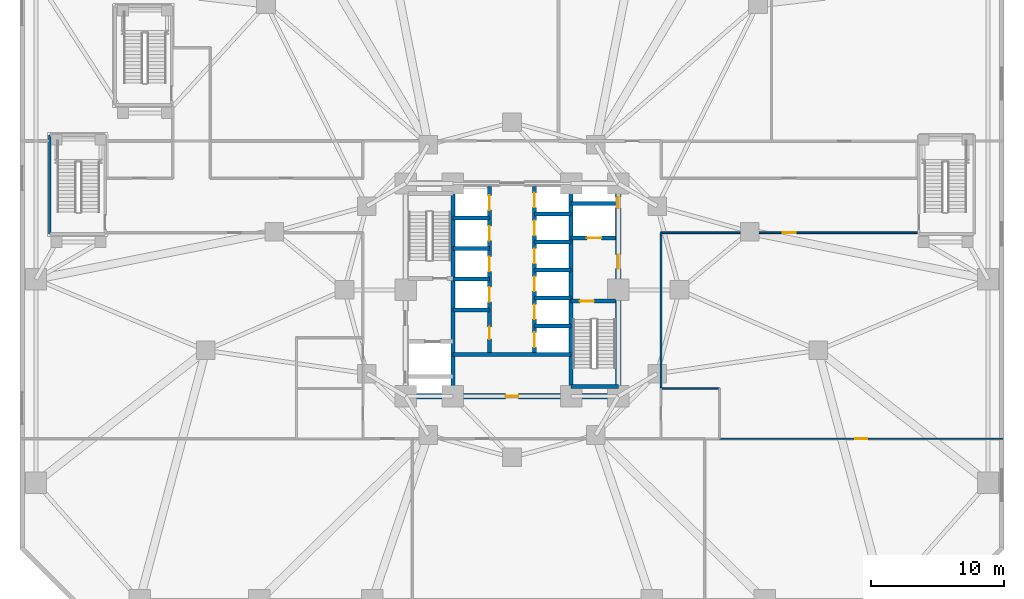
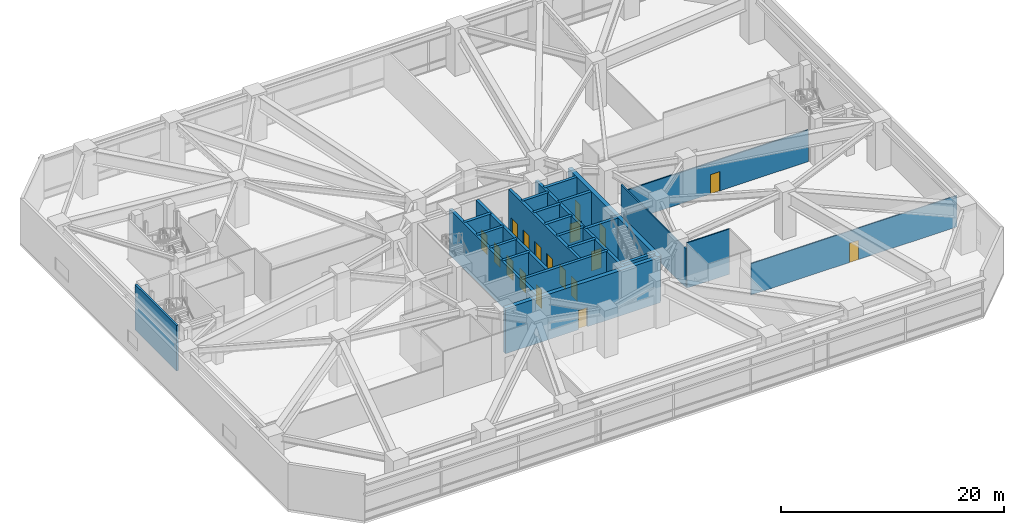
# One storey, part 16 of 27: 25 walls, 18 doors, 18 openings.
"""IFC4 building model written with IfcOpenShell, lengths in metres."""

from ifc_helpers import new_model, si_unit, direction, frame, frame_2d, origin, place, context, subcontext, project, spatial, rectangle, extrude, material, layer, layer_set, type_object, element, fill, save


model = new_model("IFC4")

# Units and contexts
model_context = context("Model", 3, precision=1e-05, world=origin(), true_north=direction((0.0, 1.0)))
body_context = subcontext(model_context, "Body", "Model", "MODEL_VIEW")
ifc_project = project(units=[si_unit("LENGTHUNIT", "METRE"), si_unit("AREAUNIT", "SQUARE_METRE"), si_unit("VOLUMEUNIT", "CUBIC_METRE"), si_unit("PLANEANGLEUNIT", "RADIAN"), si_unit("MASSUNIT", "GRAM", prefix="KILO")], contexts=[model_context])

# Site, building, storey
site_placement = place(None, origin())
site = spatial("IfcSite", under=ifc_project, at=site_placement, CompositionType="ELEMENT")
building_placement = place(site_placement, origin())
building = spatial("IfcBuilding", under=site, at=building_placement, Name="Terralouvre Media Tower", CompositionType="ELEMENT")
storey_placement = place(building_placement, frame((0.0, 0.0, 15.60009765625)))
storey = spatial("IfcBuildingStorey", under=building, at=storey_placement, Name="L03", CompositionType="ELEMENT", Elevation=15.60009765625)

# Walls
ifc_material_1 = material(Name="Concrete C50/60", Category="concrete")
ifc_layer_1 = layer(ifc_material_1, 0.300048828125, Name="Core Internal Shaft Wall CW-300")
ifc_layer_set_1 = layer_set([ifc_layer_1], Name="Concrete C50/60")
wall_type_1 = type_object("IfcWallType", Name="Core Internal Shaft Wall CW-300", PredefinedType="SHEAR", material=ifc_layer_set_1)
for number, where, z_axis, x_axis, name in (
    (1, (-4.449951171875, -7.7900390625, 0.0), (0.0, 0.0, 1.0), (0.0, 1.0, 0.0), "L03 Core Shaft Wall SPW"),
    (2, (4.449951171875, -7.7900390625, 0.0), (0.0, 0.0, 1.0), (0.0, 1.0, 0.0), "L03 Core Shaft Wall SPE"),
):
    element("IfcWall", number, at=place(storey_placement, frame(where, z_axis=z_axis, x_axis=x_axis)), inside=storey, type_object=wall_type_1, Name=name, PredefinedType="SHEAR", context=body_context, shape_type="SweptSolid", body=[
        extrude(rectangle(XDim=15.580078125, YDim=0.300048828125, at=frame_2d((7.7900390625, 0.0))), origin(), (0.0, 0.0, 1.0), 4.949951171875),
    ])

# Wall, opening, door
wall_1_placement = place(storey_placement, frame((4.449951171875, -0.85009765625, 0.0), z_axis=(0.0, 0.0, 1.0), x_axis=(1.0, 0.0, 0.0)))
wall_1 = element("IfcWall", 3, at=wall_1_placement, inside=storey, type_object=wall_type_1, Name="L03 Core Shaft Wall ST2D", PredefinedType="SHEAR", context=body_context, shape_type="SweptSolid", body=[
    extrude(rectangle(XDim=3.340087890625, YDim=0.300048828125, at=frame_2d((1.669921875, 0.0))), origin(), (0.0, 0.0, 1.0), 4.949951171875),
])
opening_1_placement = place(wall_1_placement, frame((0.64990234375, 0.0, 0.0)))
opening_1 = element("IfcOpeningElement", 4, at=opening_1_placement, cuts=wall_1, Name="Opening FD-01-105X215", PredefinedType="OPENING", context=body_context, shape_type="SweptSolid", body=[
    extrude(rectangle(XDim=1.050048828125, YDim=2.14990234375, at=frame_2d((0.52490234375, 1.074951171875))), frame((0.0, 0.159912109375, 0.0), z_axis=(0.0, -1.0, 0.0), x_axis=(1.0, 0.0, 0.0)), (0.0, 0.0, 1.0), 0.320068359375),
])
ifc_material_2 = material(Name="Galvanised steel fire-resisting leaf", Category="steel")
door_type_1 = type_object("IfcDoorType", Name="Stair and Firefighting Lobby Fire Door FD-01 (1050x2150)", OperationType="NOTDEFINED", PredefinedType="DOOR", material=ifc_material_2)
door_1_placement = place(opening_1_placement, origin())
door_1 = element("IfcDoor", 5, at=door_1_placement, inside=storey, type_object=door_type_1, Name="L03 ST-02 Exit Stair Door", OperationType="SINGLE_SWING_RIGHT", OverallHeight=2.14990234375, OverallWidth=1.050048828125, PredefinedType="DOOR", context=body_context, shape_type="SweptSolid", body=[
    extrude(rectangle(XDim=1.050048828125, YDim=2.14990234375, at=frame_2d((0.52490234375, 1.074951171875))), frame((0.0, 0.02490234375, 0.0), z_axis=(0.0, -1.0, 0.0), x_axis=(1.0, 0.0, 0.0)), (0.0, 0.0, 1.0), 0.050048828125),
])
fill(opening_1, door_1)

# Wall
wall_2_placement = place(storey_placement, frame((4.449951171875, -7.260009765625, 0.0), z_axis=(0.0, 0.0, 1.0), x_axis=(1.0, 0.0, 0.0)))
element("IfcWall", 6, at=wall_2_placement, inside=storey, type_object=wall_type_1, Name="L03 Core Shaft Wall ST2F", PredefinedType="SHEAR", context=body_context, shape_type="SweptSolid", body=[
    extrude(rectangle(XDim=3.550048828125, YDim=0.300048828125, at=frame_2d((1.77490234375, 0.0))), origin(), (0.0, 0.0, 1.0), 4.949951171875),
])

# Wall, opening, door
wall_3_placement = place(storey_placement, frame((4.449951171875, 3.89990234375, 0.0), z_axis=(0.0, 0.0, 1.0), x_axis=(1.0, 0.0, 0.0)))
wall_3 = element("IfcWall", 7, at=wall_3_placement, inside=storey, type_object=wall_type_1, Name="L03 Core Shaft Wall FF2S", PredefinedType="SHEAR", context=body_context, shape_type="SweptSolid", body=[
    extrude(rectangle(XDim=3.340087890625, YDim=0.300048828125, at=frame_2d((1.669921875, 0.0))), origin(), (0.0, 0.0, 1.0), 4.949951171875),
])
opening_2_placement = place(wall_3_placement, frame((1.179931640625, 0.0, 0.0)))
opening_2 = element("IfcOpeningElement", 8, at=opening_2_placement, cuts=wall_3, Name="Opening LD-FF", PredefinedType="OPENING", context=body_context, shape_type="SweptSolid", body=[
    extrude(rectangle(XDim=1.10009765625, YDim=2.10009765625, at=frame_2d((0.550048828125, 1.050048828125))), frame((0.0, 0.159912109375, 0.0), z_axis=(0.0, -1.0, 0.0), x_axis=(1.0, 0.0, 0.0)), (0.0, 0.0, 1.0), 0.320068359375),
])
ifc_material_3 = material(Name="Stainless steel 316 handrail and balustrade", Category="steel")
door_type_2 = type_object("IfcDoorType", Name="Firefighting Lift Sliding Landing Door LD-FF", OperationType="SLIDING_TO_LEFT", PredefinedType="DOOR", material=ifc_material_3)
door_2_placement = place(opening_2_placement, origin())
door_2 = element("IfcDoor", 9, at=door_2_placement, inside=storey, type_object=door_type_2, Name="L03 Firefighting Lift FFL-02 Landing Door", OperationType="SLIDING_TO_LEFT", OverallHeight=2.10009765625, OverallWidth=1.10009765625, PredefinedType="DOOR", context=body_context, shape_type="SweptSolid", body=[
    extrude(rectangle(XDim=1.10009765625, YDim=2.10009765625, at=frame_2d((0.550048828125, 1.050048828125))), frame((0.0, 0.02490234375, 0.0), z_axis=(0.0, -1.0, 0.0), x_axis=(1.0, 0.0, 0.0)), (0.0, 0.0, 1.0), 0.050048828125),
])
fill(opening_2, door_2)

# Walls
wall_4_placement = place(storey_placement, frame((4.449951171875, 6.5, 0.0), z_axis=(0.0, 0.0, 1.0), x_axis=(1.0, 0.0, 0.0)))
element("IfcWall", 10, at=wall_4_placement, inside=storey, type_object=wall_type_1, Name="L03 Core Shaft Wall FF2N", PredefinedType="SHEAR", context=body_context, shape_type="SweptSolid", body=[
    extrude(rectangle(XDim=3.340087890625, YDim=0.300048828125, at=frame_2d((1.669921875, 0.0))), origin(), (0.0, 0.0, 1.0), 4.949951171875),
])
wall_5_placement = place(storey_placement, frame((-4.449951171875, -4.85009765625, 0.0), z_axis=(0.0, 0.0, 1.0), x_axis=(1.0, 0.0, 0.0)))
element("IfcWall", 11, at=wall_5_placement, inside=storey, type_object=wall_type_1, Name="L03 Core Shaft Wall CSBN", PredefinedType="SHEAR", context=body_context, shape_type="SweptSolid", body=[
    extrude(rectangle(XDim=8.89990234375, YDim=0.300048828125, at=frame_2d((4.449951171875, 0.0))), origin(), (0.0, 0.0, 1.0), 4.949951171875),
])

# Wall, openings, doors
wall_6_placement = place(storey_placement, frame((-1.679931640625, -4.85009765625, 0.0), z_axis=(0.0, 0.0, 1.0), x_axis=(0.0, 1.0, 0.0)))
wall_6 = element("IfcWall", 12, at=wall_6_placement, inside=storey, type_object=wall_type_1, Name="L03 Core Shaft Wall LBW", PredefinedType="SHEAR", context=body_context, shape_type="SweptSolid", body=[
    extrude(rectangle(XDim=12.64013671875, YDim=0.300048828125, at=frame_2d((6.320068359375, 0.0))), origin(), (0.0, 0.0, 1.0), 4.949951171875),
])
opening_3_placement = place(wall_6_placement, frame((3.949951171875, 0.0, 0.0)))
opening_3 = element("IfcOpeningElement", 13, at=opening_3_placement, cuts=wall_6, Name="Opening LD-PL", PredefinedType="OPENING", context=body_context, shape_type="SweptSolid", body=[
    extrude(rectangle(XDim=1.10009765625, YDim=2.10009765625, at=frame_2d((0.550048828125, 1.050048828125))), frame((0.0, 0.159912109375, 0.0), z_axis=(0.0, -1.0, 0.0), x_axis=(1.0, 0.0, 0.0)), (0.0, 0.0, 1.0), 0.320068359375),
])
opening_4_placement = place(wall_6_placement, frame((6.25, 0.0, 0.0)))
opening_4 = element("IfcOpeningElement", 14, at=opening_4_placement, cuts=wall_6, Name="Opening LD-PL", PredefinedType="OPENING", context=body_context, shape_type="SweptSolid", body=[
    extrude(rectangle(XDim=1.10009765625, YDim=2.10009765625, at=frame_2d((0.550048828125, 1.050048828125))), frame((0.0, 0.159912109375, 0.0), z_axis=(0.0, -1.0, 0.0), x_axis=(1.0, 0.0, 0.0)), (0.0, 0.0, 1.0), 0.320068359375),
])
opening_5_placement = place(wall_6_placement, frame((8.550048828125, 0.0, 0.0)))
opening_5 = element("IfcOpeningElement", 15, at=opening_5_placement, cuts=wall_6, Name="Opening LD-PL", PredefinedType="OPENING", context=body_context, shape_type="SweptSolid", body=[
    extrude(rectangle(XDim=1.10009765625, YDim=2.10009765625, at=frame_2d((0.550048828125, 1.050048828125))), frame((0.0, 0.159912109375, 0.0), z_axis=(0.0, -1.0, 0.0), x_axis=(1.0, 0.0, 0.0)), (0.0, 0.0, 1.0), 0.320068359375),
])
opening_6_placement = place(wall_6_placement, frame((10.85009765625, 0.0, 0.0)))
opening_6 = element("IfcOpeningElement", 16, at=opening_6_placement, cuts=wall_6, Name="Opening LD-PL", PredefinedType="OPENING", context=body_context, shape_type="SweptSolid", body=[
    extrude(rectangle(XDim=1.10009765625, YDim=2.10009765625, at=frame_2d((0.550048828125, 1.050048828125))), frame((0.0, 0.159912109375, 0.0), z_axis=(0.0, -1.0, 0.0), x_axis=(1.0, 0.0, 0.0)), (0.0, 0.0, 1.0), 0.320068359375),
])
opening_7_placement = place(wall_6_placement, frame((1.14990234375, 0.0, 0.0)))
opening_7 = element("IfcOpeningElement", 17, at=opening_7_placement, cuts=wall_6, Name="Opening FD-05-92X210", PredefinedType="OPENING", context=body_context, shape_type="SweptSolid", body=[
    extrude(rectangle(XDim=0.919921875, YDim=2.10009765625, at=frame_2d((0.4599609375, 1.050048828125))), frame((0.0, 0.159912109375, 0.0), z_axis=(0.0, -1.0, 0.0), x_axis=(1.0, 0.0, 0.0)), (0.0, 0.0, 1.0), 0.320068359375),
])
ifc_material_4 = material(Name="Galvanised steel fire-resisting leaf", Category="steel")
door_type_3 = type_object("IfcDoorType", Name="Core Accessible Closet Fire Door FD-05 (920x2100)", OperationType="NOTDEFINED", PredefinedType="DOOR", material=ifc_material_4)
door_3_placement = place(opening_7_placement, origin())
door_3 = element("IfcDoor", 18, at=door_3_placement, inside=storey, type_object=door_type_3, Name="L03 Core Cleaners Closet Door", OperationType="SINGLE_SWING_LEFT", OverallHeight=2.10009765625, OverallWidth=0.919921875, PredefinedType="DOOR", context=body_context, shape_type="SweptSolid", body=[
    extrude(rectangle(XDim=0.919921875, YDim=2.10009765625, at=frame_2d((0.4599609375, 1.050048828125))), frame((0.0, 0.02490234375, 0.0), z_axis=(0.0, -1.0, 0.0), x_axis=(1.0, 0.0, 0.0)), (0.0, 0.0, 1.0), 0.050048828125),
])
fill(opening_7, door_3)
ifc_material_5 = material(Name="Stainless steel 316 handrail and balustrade", Category="steel")
door_type_4 = type_object("IfcDoorType", Name="Passenger Lift Sliding Landing Door LD-PL", OperationType="SLIDING_TO_LEFT", PredefinedType="DOOR", material=ifc_material_5)
door_4_placement = place(opening_3_placement, origin())
door_4 = element("IfcDoor", 19, at=door_4_placement, inside=storey, type_object=door_type_4, Name="L03 Low-Rise Lift PL-L1 Landing Door", OperationType="SLIDING_TO_LEFT", OverallHeight=2.10009765625, OverallWidth=1.10009765625, PredefinedType="DOOR", context=body_context, shape_type="SweptSolid", body=[
    extrude(rectangle(XDim=1.10009765625, YDim=2.10009765625, at=frame_2d((0.550048828125, 1.050048828125))), frame((0.0, 0.02490234375, 0.0), z_axis=(0.0, -1.0, 0.0), x_axis=(1.0, 0.0, 0.0)), (0.0, 0.0, 1.0), 0.050048828125),
])
fill(opening_3, door_4)
door_5_placement = place(opening_4_placement, origin())
door_5 = element("IfcDoor", 20, at=door_5_placement, inside=storey, type_object=door_type_4, Name="L03 Low-Rise Lift PL-L2 Landing Door", OperationType="SLIDING_TO_LEFT", OverallHeight=2.10009765625, OverallWidth=1.10009765625, PredefinedType="DOOR", context=body_context, shape_type="SweptSolid", body=[
    extrude(rectangle(XDim=1.10009765625, YDim=2.10009765625, at=frame_2d((0.550048828125, 1.050048828125))), frame((0.0, 0.02490234375, 0.0), z_axis=(0.0, -1.0, 0.0), x_axis=(1.0, 0.0, 0.0)), (0.0, 0.0, 1.0), 0.050048828125),
])
fill(opening_4, door_5)
door_6_placement = place(opening_5_placement, origin())
door_6 = element("IfcDoor", 21, at=door_6_placement, inside=storey, type_object=door_type_4, Name="L03 Low-Rise Lift PL-L3 Landing Door", OperationType="SLIDING_TO_LEFT", OverallHeight=2.10009765625, OverallWidth=1.10009765625, PredefinedType="DOOR", context=body_context, shape_type="SweptSolid", body=[
    extrude(rectangle(XDim=1.10009765625, YDim=2.10009765625, at=frame_2d((0.550048828125, 1.050048828125))), frame((0.0, 0.02490234375, 0.0), z_axis=(0.0, -1.0, 0.0), x_axis=(1.0, 0.0, 0.0)), (0.0, 0.0, 1.0), 0.050048828125),
])
fill(opening_5, door_6)
door_7_placement = place(opening_6_placement, origin())
door_7 = element("IfcDoor", 22, at=door_7_placement, inside=storey, type_object=door_type_4, Name="L03 Low-Rise Lift PL-L4 Landing Door", OperationType="SLIDING_TO_LEFT", OverallHeight=2.10009765625, OverallWidth=1.10009765625, PredefinedType="DOOR", context=body_context, shape_type="SweptSolid", body=[
    extrude(rectangle(XDim=1.10009765625, YDim=2.10009765625, at=frame_2d((0.550048828125, 1.050048828125))), frame((0.0, 0.02490234375, 0.0), z_axis=(0.0, -1.0, 0.0), x_axis=(1.0, 0.0, 0.0)), (0.0, 0.0, 1.0), 0.050048828125),
])
fill(opening_6, door_7)

wall_7_placement = place(storey_placement, frame((1.679931640625, -4.85009765625, 0.0), z_axis=(0.0, 0.0, 1.0), x_axis=(0.0, 1.0, 0.0)))
wall_7 = element("IfcWall", 23, at=wall_7_placement, inside=storey, type_object=wall_type_1, Name="L03 Core Shaft Wall LBE", PredefinedType="SHEAR", context=body_context, shape_type="SweptSolid", body=[
    extrude(rectangle(XDim=12.64013671875, YDim=0.300048828125, at=frame_2d((6.320068359375, 0.0))), origin(), (0.0, 0.0, 1.0), 4.949951171875),
])
opening_8_placement = place(wall_7_placement, frame((0.550048828125, 0.0, 0.0)))
opening_8 = element("IfcOpeningElement", 24, at=opening_8_placement, cuts=wall_7, Name="Opening LD-PL", PredefinedType="OPENING", context=body_context, shape_type="SweptSolid", body=[
    extrude(rectangle(XDim=1.10009765625, YDim=2.10009765625, at=frame_2d((0.550048828125, 1.050048828125))), frame((0.0, 0.159912109375, 0.0), z_axis=(0.0, -1.0, 0.0), x_axis=(1.0, 0.0, 0.0)), (0.0, 0.0, 1.0), 0.320068359375),
])
opening_9_placement = place(wall_7_placement, frame((2.64990234375, 0.0, 0.0)))
opening_9 = element("IfcOpeningElement", 25, at=opening_9_placement, cuts=wall_7, Name="Opening LD-PL", PredefinedType="OPENING", context=body_context, shape_type="SweptSolid", body=[
    extrude(rectangle(XDim=1.10009765625, YDim=2.10009765625, at=frame_2d((0.550048828125, 1.050048828125))), frame((0.0, 0.159912109375, 0.0), z_axis=(0.0, -1.0, 0.0), x_axis=(1.0, 0.0, 0.0)), (0.0, 0.0, 1.0), 0.320068359375),
])
opening_10_placement = place(wall_7_placement, frame((4.75, 0.0, 0.0)))
opening_10 = element("IfcOpeningElement", 26, at=opening_10_placement, cuts=wall_7, Name="Opening LD-PL", PredefinedType="OPENING", context=body_context, shape_type="SweptSolid", body=[
    extrude(rectangle(XDim=1.10009765625, YDim=2.10009765625, at=frame_2d((0.550048828125, 1.050048828125))), frame((0.0, 0.159912109375, 0.0), z_axis=(0.0, -1.0, 0.0), x_axis=(1.0, 0.0, 0.0)), (0.0, 0.0, 1.0), 0.320068359375),
])
opening_11_placement = place(wall_7_placement, frame((6.85009765625, 0.0, 0.0)))
opening_11 = element("IfcOpeningElement", 27, at=opening_11_placement, cuts=wall_7, Name="Opening LD-PL", PredefinedType="OPENING", context=body_context, shape_type="SweptSolid", body=[
    extrude(rectangle(XDim=1.10009765625, YDim=2.10009765625, at=frame_2d((0.550048828125, 1.050048828125))), frame((0.0, 0.159912109375, 0.0), z_axis=(0.0, -1.0, 0.0), x_axis=(1.0, 0.0, 0.0)), (0.0, 0.0, 1.0), 0.320068359375),
])
opening_12_placement = place(wall_7_placement, frame((8.949951171875, 0.0, 0.0)))
opening_12 = element("IfcOpeningElement", 28, at=opening_12_placement, cuts=wall_7, Name="Opening LD-PL", PredefinedType="OPENING", context=body_context, shape_type="SweptSolid", body=[
    extrude(rectangle(XDim=1.10009765625, YDim=2.10009765625, at=frame_2d((0.550048828125, 1.050048828125))), frame((0.0, 0.159912109375, 0.0), z_axis=(0.0, -1.0, 0.0), x_axis=(1.0, 0.0, 0.0)), (0.0, 0.0, 1.0), 0.320068359375),
])
opening_13_placement = place(wall_7_placement, frame((11.050048828125, 0.0, 0.0)))
opening_13 = element("IfcOpeningElement", 29, at=opening_13_placement, cuts=wall_7, Name="Opening LD-PL", PredefinedType="OPENING", context=body_context, shape_type="SweptSolid", body=[
    extrude(rectangle(XDim=1.10009765625, YDim=2.10009765625, at=frame_2d((0.550048828125, 1.050048828125))), frame((0.0, 0.159912109375, 0.0), z_axis=(0.0, -1.0, 0.0), x_axis=(1.0, 0.0, 0.0)), (0.0, 0.0, 1.0), 0.320068359375),
])
door_8_placement = place(opening_8_placement, origin())
door_8 = element("IfcDoor", 30, at=door_8_placement, inside=storey, type_object=door_type_4, Name="L03 High-Rise Lift PL-H1 Landing Door", OperationType="SLIDING_TO_LEFT", OverallHeight=2.10009765625, OverallWidth=1.10009765625, PredefinedType="DOOR", context=body_context, shape_type="SweptSolid", body=[
    extrude(rectangle(XDim=1.10009765625, YDim=2.10009765625, at=frame_2d((0.550048828125, 1.050048828125))), frame((0.0, 0.02490234375, 0.0), z_axis=(0.0, -1.0, 0.0), x_axis=(1.0, 0.0, 0.0)), (0.0, 0.0, 1.0), 0.050048828125),
])
fill(opening_8, door_8)
door_9_placement = place(opening_9_placement, origin())
door_9 = element("IfcDoor", 31, at=door_9_placement, inside=storey, type_object=door_type_4, Name="L03 High-Rise Lift PL-H2 Landing Door", OperationType="SLIDING_TO_LEFT", OverallHeight=2.10009765625, OverallWidth=1.10009765625, PredefinedType="DOOR", context=body_context, shape_type="SweptSolid", body=[
    extrude(rectangle(XDim=1.10009765625, YDim=2.10009765625, at=frame_2d((0.550048828125, 1.050048828125))), frame((0.0, 0.02490234375, 0.0), z_axis=(0.0, -1.0, 0.0), x_axis=(1.0, 0.0, 0.0)), (0.0, 0.0, 1.0), 0.050048828125),
])
fill(opening_9, door_9)
door_10_placement = place(opening_10_placement, origin())
door_10 = element("IfcDoor", 32, at=door_10_placement, inside=storey, type_object=door_type_4, Name="L03 High-Rise Lift PL-H3 Landing Door", OperationType="SLIDING_TO_LEFT", OverallHeight=2.10009765625, OverallWidth=1.10009765625, PredefinedType="DOOR", context=body_context, shape_type="SweptSolid", body=[
    extrude(rectangle(XDim=1.10009765625, YDim=2.10009765625, at=frame_2d((0.550048828125, 1.050048828125))), frame((0.0, 0.02490234375, 0.0), z_axis=(0.0, -1.0, 0.0), x_axis=(1.0, 0.0, 0.0)), (0.0, 0.0, 1.0), 0.050048828125),
])
fill(opening_10, door_10)
door_11_placement = place(opening_11_placement, origin())
door_11 = element("IfcDoor", 33, at=door_11_placement, inside=storey, type_object=door_type_4, Name="L03 Mid-Rise Lift PL-M1 Landing Door", OperationType="SLIDING_TO_LEFT", OverallHeight=2.10009765625, OverallWidth=1.10009765625, PredefinedType="DOOR", context=body_context, shape_type="SweptSolid", body=[
    extrude(rectangle(XDim=1.10009765625, YDim=2.10009765625, at=frame_2d((0.550048828125, 1.050048828125))), frame((0.0, 0.02490234375, 0.0), z_axis=(0.0, -1.0, 0.0), x_axis=(1.0, 0.0, 0.0)), (0.0, 0.0, 1.0), 0.050048828125),
])
fill(opening_11, door_11)
door_12_placement = place(opening_12_placement, origin())
door_12 = element("IfcDoor", 34, at=door_12_placement, inside=storey, type_object=door_type_4, Name="L03 Mid-Rise Lift PL-M2 Landing Door", OperationType="SLIDING_TO_LEFT", OverallHeight=2.10009765625, OverallWidth=1.10009765625, PredefinedType="DOOR", context=body_context, shape_type="SweptSolid", body=[
    extrude(rectangle(XDim=1.10009765625, YDim=2.10009765625, at=frame_2d((0.550048828125, 1.050048828125))), frame((0.0, 0.02490234375, 0.0), z_axis=(0.0, -1.0, 0.0), x_axis=(1.0, 0.0, 0.0)), (0.0, 0.0, 1.0), 0.050048828125),
])
fill(opening_12, door_12)
door_13_placement = place(opening_13_placement, origin())
door_13 = element("IfcDoor", 35, at=door_13_placement, inside=storey, type_object=door_type_4, Name="L03 Mid-Rise Lift PL-M3 Landing Door", OperationType="SLIDING_TO_LEFT", OverallHeight=2.10009765625, OverallWidth=1.10009765625, PredefinedType="DOOR", context=body_context, shape_type="SweptSolid", body=[
    extrude(rectangle(XDim=1.10009765625, YDim=2.10009765625, at=frame_2d((0.550048828125, 1.050048828125))), frame((0.0, 0.02490234375, 0.0), z_axis=(0.0, -1.0, 0.0), x_axis=(1.0, 0.0, 0.0)), (0.0, 0.0, 1.0), 0.050048828125),
])
fill(opening_13, door_13)

# Walls
for number, where, z_axis, x_axis, name in (
    (36, (-4.449951171875, -1.5, 0.0), (0.0, 0.0, 1.0), (1.0, 0.0, 0.0), "L03 Core Shaft Wall PLLD0"),
    (37, (-4.449951171875, 0.800048828125, 0.0), (0.0, 0.0, 1.0), (1.0, 0.0, 0.0), "L03 Core Shaft Wall PLLD1"),
    (38, (-4.449951171875, 3.10009765625, 0.0), (0.0, 0.0, 1.0), (1.0, 0.0, 0.0), "L03 Core Shaft Wall PLLD2"),
    (39, (-4.449951171875, 5.39990234375, 0.0), (0.0, 0.0, 1.0), (1.0, 0.0, 0.0), "L03 Core Shaft Wall PLLD3"),
    (40, (1.679931640625, 1.5, 0.0), (0.0, 0.0, 1.0), (1.0, 0.0, 0.0), "L03 Core Shaft Wall PLMD0"),
    (41, (1.679931640625, 3.60009765625, 0.0), (0.0, 0.0, 1.0), (1.0, 0.0, 0.0), "L03 Core Shaft Wall PLMD1"),
    (42, (1.679931640625, 5.699951171875, 0.0), (0.0, 0.0, 1.0), (1.0, 0.0, 0.0), "L03 Core Shaft Wall PLMD2"),
    (43, (1.679931640625, -2.699951171875, 0.0), (0.0, 0.0, 1.0), (1.0, 0.0, 0.0), "L03 Core Shaft Wall PLHD1"),
    (44, (1.679931640625, -0.60009765625, 0.0), (0.0, 0.0, 1.0), (1.0, 0.0, 0.0), "L03 Core Shaft Wall PLHD2"),
):
    element("IfcWall", number, at=place(storey_placement, frame(where, z_axis=z_axis, x_axis=x_axis)), inside=storey, type_object=wall_type_1, Name=name, PredefinedType="SHEAR", context=body_context, shape_type="SweptSolid", body=[
        extrude(rectangle(XDim=2.77001953125, YDim=0.300048828125, at=frame_2d((1.385009765625, 0.0))), origin(), (0.0, 0.0, 1.0), 4.949951171875),
    ])

# Wall, openings, doors
ifc_material_6 = material(Name="Concrete C60/75", Category="concrete")
ifc_layer_2 = layer(ifc_material_6, 0.419921875, Name="Core Reinforced Concrete Shear Wall CW-420")
ifc_layer_set_2 = layer_set([ifc_layer_2], Name="Concrete C60/75")
wall_type_2 = type_object("IfcWallType", Name="Core Reinforced Concrete Shear Wall CW-420", PredefinedType="SHEAR", material=ifc_layer_set_2)
wall_8_placement = place(storey_placement, frame((8.0, -8.0, 0.0), z_axis=(0.0, 0.0, 1.0), x_axis=(0.0, 1.0, 0.0)))
wall_8 = element("IfcWall", 45, at=wall_8_placement, inside=storey, type_object=wall_type_2, Name="L03 E Core Shear Wall", PredefinedType="SHEAR", context=body_context, shape_type="SweptSolid", body=[
    extrude(rectangle(XDim=16.0, YDim=0.419921875, at=frame_2d((8.0, 0.0))), origin(), (0.0, 0.0, 1.0), 4.949951171875),
])
opening_14_placement = place(wall_8_placement, frame((9.60009765625, 0.0, 0.0)))
opening_14 = element("IfcOpeningElement", 46, at=opening_14_placement, cuts=wall_8, Name="Opening FD-01-105X215", PredefinedType="OPENING", context=body_context, shape_type="SweptSolid", body=[
    extrude(rectangle(XDim=1.050048828125, YDim=2.14990234375, at=frame_2d((0.52490234375, 1.074951171875))), frame((0.0, 0.219970703125, 0.0), z_axis=(0.0, -1.0, 0.0), x_axis=(1.0, 0.0, 0.0)), (0.0, 0.0, 1.0), 0.43994140625),
])
opening_15_placement = place(wall_8_placement, frame((14.148193359375, 0.0, 0.0)))
opening_15 = element("IfcOpeningElement", 47, at=opening_15_placement, cuts=wall_8, Name="Opening TD-R1", PredefinedType="OPENING", context=body_context, shape_type="SweptSolid", body=[
    extrude(rectangle(XDim=0.85009765625, YDim=2.02001953125, at=frame_2d((0.425048828125, 1.010009765625))), frame((0.0, 0.219970703125, 0.0), z_axis=(0.0, -1.0, 0.0), x_axis=(1.0, 0.0, 0.0)), (0.0, 0.0, 1.0), 0.43994140625),
])
ifc_material_7 = material(Name="Galvanised steel fire-resisting leaf", Category="steel")
door_type_5 = type_object("IfcDoorType", Name="Riser Inspection Access Trapdoor TD-R1", OperationType="NOTDEFINED", PredefinedType="TRAPDOOR", material=ifc_material_7)
door_14_placement = place(opening_15_placement, origin())
door_14 = element("IfcDoor", 48, at=door_14_placement, inside=storey, type_object=door_type_5, Name="L03 East Comms Riser Access Trapdoor", OperationType="SINGLE_SWING_RIGHT", OverallHeight=2.02001953125, OverallWidth=0.85009765625, PredefinedType="TRAPDOOR", context=body_context, shape_type="SweptSolid", body=[
    extrude(rectangle(XDim=0.85009765625, YDim=2.02001953125, at=frame_2d((0.425048828125, 1.010009765625))), frame((0.0, 0.02490234375, 0.0), z_axis=(0.0, -1.0, 0.0), x_axis=(1.0, 0.0, 0.0)), (0.0, 0.0, 1.0), 0.050048828125),
])
fill(opening_15, door_14)
door_15_placement = place(opening_14_placement, origin())
door_15 = element("IfcDoor", 49, at=door_15_placement, inside=storey, type_object=door_type_1, Name="L03 East Firefighting Lobby Entry Door", OperationType="SINGLE_SWING_LEFT", OverallHeight=2.14990234375, OverallWidth=1.050048828125, PredefinedType="DOOR", context=body_context, shape_type="SweptSolid", body=[
    extrude(rectangle(XDim=1.050048828125, YDim=2.14990234375, at=frame_2d((0.52490234375, 1.074951171875))), frame((0.0, 0.02490234375, 0.0), z_axis=(0.0, -1.0, 0.0), x_axis=(1.0, 0.0, 0.0)), (0.0, 0.0, 1.0), 0.050048828125),
])
fill(opening_14, door_15)

# Wall, opening, door
wall_9_placement = place(storey_placement, frame((-8.0, -8.0, 0.0), z_axis=(0.0, 0.0, 1.0), x_axis=(1.0, 0.0, 0.0)))
wall_9 = element("IfcWall", 50, at=wall_9_placement, inside=storey, type_object=wall_type_2, Name="L03 S Core Shear Wall", PredefinedType="SHEAR", context=body_context, shape_type="SweptSolid", body=[
    extrude(rectangle(XDim=16.0, YDim=0.419921875, at=frame_2d((8.0, 0.0))), origin(), (0.0, 0.0, 1.0), 4.949951171875),
])
opening_16_placement = place(wall_9_placement, frame((7.52001953125, 0.0, 0.0)))
opening_16 = element("IfcOpeningElement", 51, at=opening_16_placement, cuts=wall_9, Name="Opening FD-02-95X210", PredefinedType="OPENING", context=body_context, shape_type="SweptSolid", body=[
    extrude(rectangle(XDim=0.949951171875, YDim=2.10009765625, at=frame_2d((0.47509765625, 1.050048828125))), frame((0.0, 0.219970703125, 0.0), z_axis=(0.0, -1.0, 0.0), x_axis=(1.0, 0.0, 0.0)), (0.0, 0.0, 1.0), 0.43994140625),
])
ifc_material_8 = material(Name="Galvanised steel fire-resisting leaf", Category="steel")
door_type_6 = type_object("IfcDoorType", Name="Plant and Riser Fire Door FD-02 (950x2100)", OperationType="NOTDEFINED", PredefinedType="DOOR", material=ifc_material_8)
door_16_placement = place(opening_16_placement, origin())
door_16 = element("IfcDoor", 52, at=door_16_placement, inside=storey, type_object=door_type_6, Name="L03 Core Switchgear Plant Door", OperationType="SINGLE_SWING_LEFT", OverallHeight=2.10009765625, OverallWidth=0.949951171875, PredefinedType="DOOR", context=body_context, shape_type="SweptSolid", body=[
    extrude(rectangle(XDim=0.949951171875, YDim=2.10009765625, at=frame_2d((0.47509765625, 1.050048828125))), frame((0.0, 0.02490234375, 0.0), z_axis=(0.0, -1.0, 0.0), x_axis=(1.0, 0.0, 0.0)), (0.0, 0.0, 1.0), 0.050048828125),
])
fill(opening_16, door_16)

ifc_material_9 = material(Name="Low-iron laminated double glazing with solar-control coating", Category="glass")
ifc_layer_3 = layer(ifc_material_9, 0.10009765625, Name="Demountable Glazed Office Partition PT-GL100")
ifc_layer_set_3 = layer_set([ifc_layer_3], Name="Low-iron laminated double glazing with solar-control coating")
wall_type_3 = type_object("IfcWallType", Name="Demountable Glazed Office Partition PT-GL100", PredefinedType="MOVABLE", material=ifc_layer_set_3)
wall_10_placement = place(storey_placement, frame((36.919921875, -11.199951171875, 0.0), z_axis=(0.0, 0.0, 1.0), x_axis=(-1.0, 0.0, 0.0)))
wall_10 = element("IfcWall", 53, at=wall_10_placement, inside=storey, type_object=wall_type_3, Name="L03 Interior Partition 034", PredefinedType="MOVABLE", context=body_context, shape_type="SweptSolid", body=[
    extrude(rectangle(XDim=21.31982421875, YDim=0.10009765625, at=frame_2d((10.659912109375, 0.0))), origin(), (0.0, 0.0, 1.0), 3.434814453125),
])
opening_17_placement = place(wall_10_placement, frame((10.199951171875, 0.0, 0.0)))
opening_17 = element("IfcOpeningElement", 54, at=opening_17_placement, cuts=wall_10, Name="Opening ID-03-92X210", PredefinedType="OPENING", context=body_context, shape_type="SweptSolid", body=[
    extrude(rectangle(XDim=0.919921875, YDim=2.10009765625, at=frame_2d((0.4599609375, 1.050048828125))), frame((0.0, 0.06005859375, 0.0), z_axis=(0.0, -1.0, 0.0), x_axis=(1.0, 0.0, 0.0)), (0.0, 0.0, 1.0), 0.1201171875),
])
ifc_material_10 = material(Name="Engineered hardwood acoustic timber leaf", Category="wood")
door_type_7 = type_object("IfcDoorType", Name="Accessible Restroom and Suite Door ID-03 (920x2100)", OperationType="NOTDEFINED", PredefinedType="DOOR", material=ifc_material_10)
door_17_placement = place(opening_17_placement, origin())
door_17 = element("IfcDoor", 55, at=door_17_placement, inside=storey, type_object=door_type_7, Name="L03 L03 Editorial Summit Boardroom 4 Door", OperationType="SINGLE_SWING_RIGHT", OverallHeight=2.10009765625, OverallWidth=0.919921875, PredefinedType="DOOR", context=body_context, shape_type="SweptSolid", body=[
    extrude(rectangle(XDim=0.919921875, YDim=2.10009765625, at=frame_2d((0.4599609375, 1.050048828125))), frame((0.0, 0.02490234375, 0.0), z_axis=(0.0, -1.0, 0.0), x_axis=(1.0, 0.0, 0.0)), (0.0, 0.0, 1.0), 0.050048828125),
])
fill(opening_17, door_17)

# Walls
ifc_material_11 = material(Name="Fire-rated gypsum board drywall partition")
ifc_layer_4 = layer(ifc_material_11, 0.199951171875, Name="Fire-Rated Shaft and Lobby Partition FW-200")
ifc_layer_set_4 = layer_set([ifc_layer_4], Name="Fire-rated gypsum board drywall partition")
wall_type_4 = type_object("IfcWallType", Name="Fire-Rated Shaft and Lobby Partition FW-200", PredefinedType="SOLIDWALL", material=ifc_layer_set_4)
wall_11_placement = place(storey_placement, frame((-34.75, 11.64990234375, 0.0), z_axis=(0.0, 0.0, 1.0), x_axis=(0.0, -1.0, 0.0)))
element("IfcWall", 56, at=wall_11_placement, inside=storey, type_object=wall_type_4, Name="L03 ST03 Stair Shaft Wall W", PredefinedType="SOLIDWALL", context=body_context, shape_type="SweptSolid", body=[
    extrude(rectangle(XDim=7.449951171875, YDim=0.199951171875, at=frame_2d((3.72509765625, 0.0))), origin(), (0.0, 0.0, 1.0), 4.949951171875),
])
ifc_material_12 = material(Name="Fire-rated gypsum board drywall partition")
ifc_layer_5 = layer(ifc_material_12, 0.135009765625, Name="Newsroom Acoustic Partition PT-135")
ifc_layer_set_5 = layer_set([ifc_layer_5], Name="Fire-rated gypsum board drywall partition")
wall_type_5 = type_object("IfcWallType", Name="Newsroom Acoustic Partition PT-135", PredefinedType="PARTITIONING", material=ifc_layer_set_5)
wall_12_placement = place(storey_placement, frame((11.199951171875, -7.39990234375, 0.0), z_axis=(0.0, 0.0, 1.0), x_axis=(0.0, 1.0, 0.0)))
element("IfcWall", 57, at=wall_12_placement, inside=storey, type_object=wall_type_5, Name="L03 Interior Partition 009", PredefinedType="PARTITIONING", context=body_context, shape_type="SweptSolid", body=[
    extrude(rectangle(XDim=11.699951171875, YDim=0.135009765625, at=frame_2d((5.85009765625, 0.0))), origin(), (0.0, 0.0, 1.0), 4.23486328125),
])

# Wall, opening, door
wall_13_placement = place(storey_placement, frame((11.199951171875, 4.300048828125, 0.0), z_axis=(0.0, 0.0, 1.0), x_axis=(1.0, 0.0, 0.0)))
wall_13 = element("IfcWall", 58, at=wall_13_placement, inside=storey, type_object=wall_type_5, Name="L03 Interior Partition 010", PredefinedType="PARTITIONING", context=body_context, shape_type="SweptSolid", body=[
    extrude(rectangle(XDim=19.300048828125, YDim=0.135009765625, at=frame_2d((9.64990234375, 0.0))), origin(), (0.0, 0.0, 1.0), 3.434814453125),
])
opening_18_placement = place(wall_13_placement, frame((9.175048828125, 0.0, 0.0)))
opening_18 = element("IfcOpeningElement", 59, at=opening_18_placement, cuts=wall_13, Name="Opening ID-02-95X210", PredefinedType="OPENING", context=body_context, shape_type="SweptSolid", body=[
    extrude(rectangle(XDim=0.949951171875, YDim=2.10009765625, at=frame_2d((0.47509765625, 1.050048828125))), frame((0.0, 0.077392578125, 0.0), z_axis=(0.0, -1.0, 0.0), x_axis=(1.0, 0.0, 0.0)), (0.0, 0.0, 1.0), 0.155029296875),
])
ifc_material_13 = material(Name="Engineered hardwood acoustic timber leaf", Category="wood")
door_type_8 = type_object("IfcDoorType", Name="Office and Meeting Room Door ID-02 (950x2100)", OperationType="NOTDEFINED", PredefinedType="DOOR", material=ifc_material_13)
door_18_placement = place(opening_18_placement, origin())
door_18 = element("IfcDoor", 60, at=door_18_placement, inside=storey, type_object=door_type_8, Name="L03 L03 Media Archive Vault Store 5 Door", OperationType="SINGLE_SWING_RIGHT", OverallHeight=2.10009765625, OverallWidth=0.949951171875, PredefinedType="DOOR", context=body_context, shape_type="SweptSolid", body=[
    extrude(rectangle(XDim=0.949951171875, YDim=2.10009765625, at=frame_2d((0.47509765625, 1.050048828125))), frame((0.0, 0.02490234375, 0.0), z_axis=(0.0, -1.0, 0.0), x_axis=(1.0, 0.0, 0.0)), (0.0, 0.0, 1.0), 0.050048828125),
])
fill(opening_18, door_18)

# Wall
ifc_material_14 = material(Name="Fire-rated gypsum board drywall partition")
ifc_layer_6 = layer(ifc_material_14, 0.114990234375, Name="Restroom and Pantry Partition PT-115")
ifc_layer_set_6 = layer_set([ifc_layer_6], Name="Fire-rated gypsum board drywall partition")
wall_type_6 = type_object("IfcWallType", Name="Restroom and Pantry Partition PT-115", PredefinedType="PARTITIONING", material=ifc_layer_set_6)
wall_14_placement = place(storey_placement, frame((15.60009765625, -7.39990234375, 0.0), z_axis=(0.0, 0.0, 1.0), x_axis=(-1.0, 0.0, 0.0)))
element("IfcWall", 61, at=wall_14_placement, inside=storey, type_object=wall_type_6, Name="L03 Interior Partition 036", PredefinedType="PARTITIONING", context=body_context, shape_type="SweptSolid", body=[
    extrude(rectangle(XDim=4.400146484375, YDim=0.114990234375, at=frame_2d((2.2001953125, 0.0))), origin(), (0.0, 0.0, 1.0), 4.949951171875),
])

save(model, "model.ifc")
